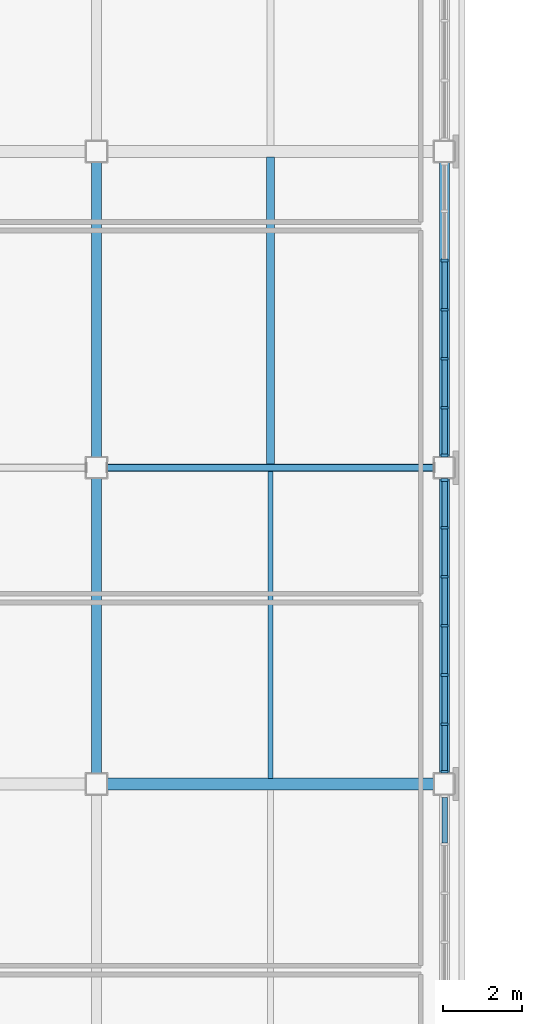
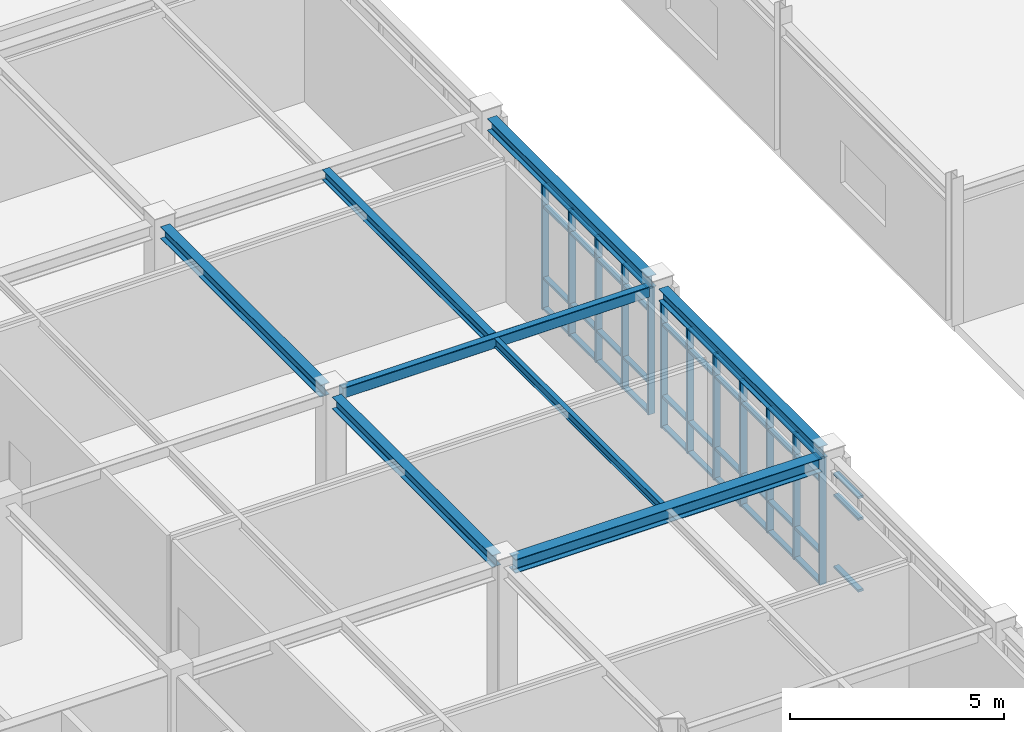
# One storey, part 23 of 88: 55 members, 8 beams, 3 elements without a shape of their own.
"""IFC4 building model written with IfcOpenShell, lengths in metres."""

from ifc_helpers import new_model, si_unit, direction, frame, origin, origin_2d, place, context, subcontext, project, spatial, rectangle, hollow_rectangle, i_section, extrude, material, material_profile, profile_set, type_object, element, aggregate, save


model = new_model("IFC4")

# Units and contexts
model_context = context("Model", 3, precision=1e-05, world=origin(), true_north=direction((0.0, 1.0)))
body_context = subcontext(model_context, "Body", "Model", "MODEL_VIEW")
ifc_project = project(units=[si_unit("LENGTHUNIT", "METRE"), si_unit("AREAUNIT", "SQUARE_METRE"), si_unit("VOLUMEUNIT", "CUBIC_METRE"), si_unit("PLANEANGLEUNIT", "RADIAN"), si_unit("MASSUNIT", "GRAM", prefix="KILO")], contexts=[model_context])

# Site, building, storey
site_placement = place(None, origin())
site = spatial("IfcSite", under=ifc_project, at=site_placement, CompositionType="ELEMENT")
building_placement = place(site_placement, origin())
building = spatial("IfcBuilding", under=site, at=building_placement, Name="Zhaolan Boulevard Law Courts", CompositionType="ELEMENT")
storey_placement = place(building_placement, frame((0.0, 0.0, 16.199951171875)))
storey = spatial("IfcBuildingStorey", under=building, at=storey_placement, Name="L03", CompositionType="ELEMENT", Elevation=16.199951171875)

# Curtain wall, members
ifc_material_1 = material(Name="Thermally broken aluminium and low-E glazing", Category="aluminium")
curtain_wall_type_1 = type_object("IfcCurtainWallType", Name="CURTAIN WALL M14", PredefinedType="USERDEFINED", material=ifc_material_1)
curtain_wall_1_placement = place(storey_placement, origin())
curtain_wall_1 = element("IfcCurtainWall", 1, at=curtain_wall_1_placement, inside=storey, type_object=curtain_wall_type_1, Name="Curtain Wall CW-L03-182", ObjectType="CURTAIN WALL", PredefinedType="USERDEFINED")
ifc_material_2 = material(Name="Fluorocarbon-coated aluminium 6063-T6", Category="aluminium")
ifc_material_profile_1 = material_profile(ifc_material_2, rectangle(XDim=0.179931640625, YDim=0.06494140625, at=origin_2d()), Name="AL65x180")
ifc_profile_set_1 = profile_set([ifc_material_profile_1], Name="Fluorocarbon-coated aluminium 6063-T6")
member_type_1 = type_object("IfcMemberType", Name="CWMULLION 65X180", PredefinedType="MULLION", material=ifc_profile_set_1)
member_1_placement = place(storey_placement, frame((44.0, 54.3095703125, 0.0), z_axis=(0.0, 0.0, 1.0), x_axis=(-1.0, 0.0, 0.0)))
member_1 = element("IfcMember", 2, at=member_1_placement, type_object=member_type_1, Name="CW-L03-182 mullion 1", PredefinedType="MULLION", context=body_context, shape_type="SweptSolid", body=[
    extrude(rectangle(XDim=0.179931640625, YDim=0.06494140625, at=origin_2d()), origin(), (0.0, 0.0, 1.0), 3.593017578125),
])
member_2_placement = place(storey_placement, frame((44.0, 55.51806640625, 0.0), z_axis=(0.0, 0.0, 1.0), x_axis=(-1.0, 0.0, 0.0)))
member_2 = element("IfcMember", 3, at=member_2_placement, type_object=member_type_1, Name="CW-L03-182 mullion 2", PredefinedType="MULLION", context=body_context, shape_type="SweptSolid", body=[
    extrude(rectangle(XDim=0.179931640625, YDim=0.06494140625, at=origin_2d()), origin(), (0.0, 0.0, 1.0), 3.593017578125),
])
member_3_placement = place(storey_placement, frame((44.0, 56.759033203125, 0.0), z_axis=(0.0, 0.0, 1.0), x_axis=(-1.0, 0.0, 0.0)))
member_3 = element("IfcMember", 4, at=member_3_placement, type_object=member_type_1, Name="CW-L03-182 mullion 3", PredefinedType="MULLION", context=body_context, shape_type="SweptSolid", body=[
    extrude(rectangle(XDim=0.179931640625, YDim=0.06494140625, at=origin_2d()), origin(), (0.0, 0.0, 1.0), 3.593017578125),
])
member_4_placement = place(storey_placement, frame((44.0, 58.0, 0.0), z_axis=(0.0, 0.0, 1.0), x_axis=(-1.0, 0.0, 0.0)))
member_4 = element("IfcMember", 5, at=member_4_placement, type_object=member_type_1, Name="CW-L03-182 mullion 4", PredefinedType="MULLION", context=body_context, shape_type="SweptSolid", body=[
    extrude(rectangle(XDim=0.179931640625, YDim=0.06494140625, at=origin_2d()), origin(), (0.0, 0.0, 1.0), 3.593017578125),
])
member_5_placement = place(storey_placement, frame((44.0, 59.240966796875, 0.0), z_axis=(0.0, 0.0, 1.0), x_axis=(-1.0, 0.0, 0.0)))
member_5 = element("IfcMember", 6, at=member_5_placement, type_object=member_type_1, Name="CW-L03-182 mullion 5", PredefinedType="MULLION", context=body_context, shape_type="SweptSolid", body=[
    extrude(rectangle(XDim=0.179931640625, YDim=0.06494140625, at=origin_2d()), origin(), (0.0, 0.0, 1.0), 3.593017578125),
])
member_6_placement = place(storey_placement, frame((44.0, 60.48193359375, 0.0), z_axis=(0.0, 0.0, 1.0), x_axis=(-1.0, 0.0, 0.0)))
member_6 = element("IfcMember", 7, at=member_6_placement, type_object=member_type_1, Name="CW-L03-182 mullion 6", PredefinedType="MULLION", context=body_context, shape_type="SweptSolid", body=[
    extrude(rectangle(XDim=0.179931640625, YDim=0.06494140625, at=origin_2d()), origin(), (0.0, 0.0, 1.0), 3.593017578125),
])
member_7_placement = place(storey_placement, frame((44.0, 61.6904296875, 0.0), z_axis=(0.0, 0.0, 1.0), x_axis=(-1.0, 0.0, 0.0)))
member_7 = element("IfcMember", 8, at=member_7_placement, type_object=member_type_1, Name="CW-L03-182 mullion 7", PredefinedType="MULLION", context=body_context, shape_type="SweptSolid", body=[
    extrude(rectangle(XDim=0.179931640625, YDim=0.06494140625, at=origin_2d()), origin(), (0.0, 0.0, 1.0), 3.593017578125),
])

ifc_material_3 = material(Name="Thermally broken aluminium and low-E glazing", Category="aluminium")
curtain_wall_type_2 = type_object("IfcCurtainWallType", Name="CURTAIN WALL M15", PredefinedType="USERDEFINED", material=ifc_material_3)
curtain_wall_2_placement = place(storey_placement, origin())
curtain_wall_2 = element("IfcCurtainWall", 9, at=curtain_wall_2_placement, inside=storey, type_object=curtain_wall_type_2, Name="Curtain Wall CW-L03-183", ObjectType="CURTAIN WALL", PredefinedType="USERDEFINED")
member_8_placement = place(storey_placement, frame((44.0, 62.3095703125, 0.0), z_axis=(0.0, 0.0, 1.0), x_axis=(-1.0, 0.0, 0.0)))
member_8 = element("IfcMember", 10, at=member_8_placement, type_object=member_type_1, Name="CW-L03-183 mullion 1", PredefinedType="MULLION", context=body_context, shape_type="SweptSolid", body=[
    extrude(rectangle(XDim=0.179931640625, YDim=0.06494140625, at=origin_2d()), origin(), (0.0, 0.0, 1.0), 3.593017578125),
])
member_9_placement = place(storey_placement, frame((44.0, 63.51806640625, 0.0), z_axis=(0.0, 0.0, 1.0), x_axis=(-1.0, 0.0, 0.0)))
member_9 = element("IfcMember", 11, at=member_9_placement, type_object=member_type_1, Name="CW-L03-183 mullion 2", PredefinedType="MULLION", context=body_context, shape_type="SweptSolid", body=[
    extrude(rectangle(XDim=0.179931640625, YDim=0.06494140625, at=origin_2d()), origin(), (0.0, 0.0, 1.0), 3.593017578125),
])
member_10_placement = place(storey_placement, frame((44.0, 64.759033203125, 0.0), z_axis=(0.0, 0.0, 1.0), x_axis=(-1.0, 0.0, 0.0)))
member_10 = element("IfcMember", 12, at=member_10_placement, type_object=member_type_1, Name="CW-L03-183 mullion 3", PredefinedType="MULLION", context=body_context, shape_type="SweptSolid", body=[
    extrude(rectangle(XDim=0.179931640625, YDim=0.06494140625, at=origin_2d()), origin(), (0.0, 0.0, 1.0), 3.593017578125),
])
member_11_placement = place(storey_placement, frame((44.0, 66.0, 0.0), z_axis=(0.0, 0.0, 1.0), x_axis=(-1.0, 0.0, 0.0)))
member_11 = element("IfcMember", 13, at=member_11_placement, type_object=member_type_1, Name="CW-L03-183 mullion 4", PredefinedType="MULLION", context=body_context, shape_type="SweptSolid", body=[
    extrude(rectangle(XDim=0.179931640625, YDim=0.06494140625, at=origin_2d()), origin(), (0.0, 0.0, 1.0), 3.593017578125),
])
member_12_placement = place(storey_placement, frame((44.0, 67.240966796875, 0.0), z_axis=(0.0, 0.0, 1.0), x_axis=(-1.0, 0.0, 0.0)))
member_12 = element("IfcMember", 14, at=member_12_placement, type_object=member_type_1, Name="CW-L03-183 mullion 5", PredefinedType="MULLION", context=body_context, shape_type="SweptSolid", body=[
    extrude(rectangle(XDim=0.179931640625, YDim=0.06494140625, at=origin_2d()), origin(), (0.0, 0.0, 1.0), 3.593017578125),
])

ifc_material_4 = material(Name="Thermally broken aluminium and low-E glazing", Category="aluminium")
curtain_wall_type_3 = type_object("IfcCurtainWallType", Name="CURTAIN WALL M13", PredefinedType="USERDEFINED", material=ifc_material_4)
curtain_wall_3_placement = place(storey_placement, origin())
curtain_wall_3 = element("IfcCurtainWall", 15, at=curtain_wall_3_placement, inside=storey, type_object=curtain_wall_type_3, Name="Curtain Wall CW-L03-181", ObjectType="CURTAIN WALL", PredefinedType="USERDEFINED")
ifc_material_5 = material(Name="Fluorocarbon-coated aluminium 6063-T6", Category="aluminium")
ifc_material_profile_2 = material_profile(ifc_material_5, rectangle(XDim=0.139892578125, YDim=0.06494140625, at=origin_2d()), Name="AL65x140")
ifc_profile_set_2 = profile_set([ifc_material_profile_2], Name="Fluorocarbon-coated aluminium 6063-T6")
member_type_2 = type_object("IfcMemberType", Name="CWTRANSOM 65X140", PredefinedType="USERDEFINED", material=ifc_profile_set_2)
member_13_placement = place(storey_placement, frame((44.0, 52.514404296875, 0.900146484375), z_axis=(0.0, 1.0, 0.0), x_axis=(-1.0, 0.0, 0.0)))
member_13 = element("IfcMember", 16, at=member_13_placement, type_object=member_type_2, Name="CW-L03-181 transom 6.2", ObjectType="TRANSOM", PredefinedType="USERDEFINED", context=body_context, shape_type="SweptSolid", body=[
    extrude(rectangle(XDim=0.139892578125, YDim=0.06494140625, at=origin_2d()), origin(), (0.0, 0.0, 1.0), 1.1435546875),
])
member_14_placement = place(storey_placement, frame((44.0, 52.514404296875, 2.943115234375), z_axis=(0.0, 1.0, 0.0), x_axis=(-1.0, 0.0, 0.0)))
member_14 = element("IfcMember", 17, at=member_14_placement, type_object=member_type_2, Name="CW-L03-181 transom 6.3", ObjectType="TRANSOM", PredefinedType="USERDEFINED", context=body_context, shape_type="SweptSolid", body=[
    extrude(rectangle(XDim=0.139892578125, YDim=0.06494140625, at=origin_2d()), origin(), (0.0, 0.0, 1.0), 1.1435546875),
])
member_15_placement = place(storey_placement, frame((44.0, 52.514404296875, 3.560546875), z_axis=(0.0, 1.0, 0.0), x_axis=(-1.0, 0.0, 0.0)))
member_15 = element("IfcMember", 18, at=member_15_placement, type_object=member_type_2, Name="CW-L03-181 transom 6.4", ObjectType="TRANSOM", PredefinedType="USERDEFINED", context=body_context, shape_type="SweptSolid", body=[
    extrude(rectangle(XDim=0.139892578125, YDim=0.06494140625, at=origin_2d()), origin(), (0.0, 0.0, 1.0), 1.1435546875),
])
aggregate(curtain_wall_3, [member_13, member_14, member_15])

# Member
member_16_placement = place(storey_placement, frame((44.0, 54.342041015625, 0.032470703125), z_axis=(0.0, 1.0, 0.0), x_axis=(-1.0, 0.0, 0.0)))
member_16 = element("IfcMember", 19, at=member_16_placement, type_object=member_type_2, Name="CW-L03-182 transom 1.1", ObjectType="TRANSOM", PredefinedType="USERDEFINED", context=body_context, shape_type="SweptSolid", body=[
    extrude(rectangle(XDim=0.139892578125, YDim=0.06494140625, at=origin_2d()), origin(), (0.0, 0.0, 1.0), 1.1435546875),
])

member_17_placement = place(storey_placement, frame((44.0, 54.342041015625, 0.900146484375), z_axis=(0.0, 1.0, 0.0), x_axis=(-1.0, 0.0, 0.0)))
member_17 = element("IfcMember", 20, at=member_17_placement, type_object=member_type_2, Name="CW-L03-182 transom 1.2", ObjectType="TRANSOM", PredefinedType="USERDEFINED", context=body_context, shape_type="SweptSolid", body=[
    extrude(rectangle(XDim=0.139892578125, YDim=0.06494140625, at=origin_2d()), origin(), (0.0, 0.0, 1.0), 1.1435546875),
])

member_18_placement = place(storey_placement, frame((44.0, 54.342041015625, 2.943115234375), z_axis=(0.0, 1.0, 0.0), x_axis=(-1.0, 0.0, 0.0)))
member_18 = element("IfcMember", 21, at=member_18_placement, type_object=member_type_2, Name="CW-L03-182 transom 1.3", ObjectType="TRANSOM", PredefinedType="USERDEFINED", context=body_context, shape_type="SweptSolid", body=[
    extrude(rectangle(XDim=0.139892578125, YDim=0.06494140625, at=origin_2d()), origin(), (0.0, 0.0, 1.0), 1.1435546875),
])

member_19_placement = place(storey_placement, frame((44.0, 54.342041015625, 3.560546875), z_axis=(0.0, 1.0, 0.0), x_axis=(-1.0, 0.0, 0.0)))
member_19 = element("IfcMember", 22, at=member_19_placement, type_object=member_type_2, Name="CW-L03-182 transom 1.4", ObjectType="TRANSOM", PredefinedType="USERDEFINED", context=body_context, shape_type="SweptSolid", body=[
    extrude(rectangle(XDim=0.139892578125, YDim=0.06494140625, at=origin_2d()), origin(), (0.0, 0.0, 1.0), 1.1435546875),
])

member_20_placement = place(storey_placement, frame((44.0, 55.550537109375, 0.032470703125), z_axis=(0.0, 1.0, 0.0), x_axis=(-1.0, 0.0, 0.0)))
member_20 = element("IfcMember", 23, at=member_20_placement, type_object=member_type_2, Name="CW-L03-182 transom 2.1", ObjectType="TRANSOM", PredefinedType="USERDEFINED", context=body_context, shape_type="SweptSolid", body=[
    extrude(rectangle(XDim=0.139892578125, YDim=0.06494140625, at=origin_2d()), origin(), (0.0, 0.0, 1.0), 1.176025390625),
])

member_21_placement = place(storey_placement, frame((44.0, 55.550537109375, 0.900146484375), z_axis=(0.0, 1.0, 0.0), x_axis=(-1.0, 0.0, 0.0)))
member_21 = element("IfcMember", 24, at=member_21_placement, type_object=member_type_2, Name="CW-L03-182 transom 2.2", ObjectType="TRANSOM", PredefinedType="USERDEFINED", context=body_context, shape_type="SweptSolid", body=[
    extrude(rectangle(XDim=0.139892578125, YDim=0.06494140625, at=origin_2d()), origin(), (0.0, 0.0, 1.0), 1.176025390625),
])

member_22_placement = place(storey_placement, frame((44.0, 55.550537109375, 2.943115234375), z_axis=(0.0, 1.0, 0.0), x_axis=(-1.0, 0.0, 0.0)))
member_22 = element("IfcMember", 25, at=member_22_placement, type_object=member_type_2, Name="CW-L03-182 transom 2.3", ObjectType="TRANSOM", PredefinedType="USERDEFINED", context=body_context, shape_type="SweptSolid", body=[
    extrude(rectangle(XDim=0.139892578125, YDim=0.06494140625, at=origin_2d()), origin(), (0.0, 0.0, 1.0), 1.176025390625),
])

member_23_placement = place(storey_placement, frame((44.0, 55.550537109375, 3.560546875), z_axis=(0.0, 1.0, 0.0), x_axis=(-1.0, 0.0, 0.0)))
member_23 = element("IfcMember", 26, at=member_23_placement, type_object=member_type_2, Name="CW-L03-182 transom 2.4", ObjectType="TRANSOM", PredefinedType="USERDEFINED", context=body_context, shape_type="SweptSolid", body=[
    extrude(rectangle(XDim=0.139892578125, YDim=0.06494140625, at=origin_2d()), origin(), (0.0, 0.0, 1.0), 1.176025390625),
])

member_24_placement = place(storey_placement, frame((44.0, 56.79150390625, 0.032470703125), z_axis=(0.0, 1.0, 0.0), x_axis=(-1.0, 0.0, 0.0)))
member_24 = element("IfcMember", 27, at=member_24_placement, type_object=member_type_2, Name="CW-L03-182 transom 3.1", ObjectType="TRANSOM", PredefinedType="USERDEFINED", context=body_context, shape_type="SweptSolid", body=[
    extrude(rectangle(XDim=0.139892578125, YDim=0.06494140625, at=origin_2d()), origin(), (0.0, 0.0, 1.0), 1.176025390625),
])

member_25_placement = place(storey_placement, frame((44.0, 56.79150390625, 0.900146484375), z_axis=(0.0, 1.0, 0.0), x_axis=(-1.0, 0.0, 0.0)))
member_25 = element("IfcMember", 28, at=member_25_placement, type_object=member_type_2, Name="CW-L03-182 transom 3.2", ObjectType="TRANSOM", PredefinedType="USERDEFINED", context=body_context, shape_type="SweptSolid", body=[
    extrude(rectangle(XDim=0.139892578125, YDim=0.06494140625, at=origin_2d()), origin(), (0.0, 0.0, 1.0), 1.176025390625),
])

member_26_placement = place(storey_placement, frame((44.0, 56.79150390625, 2.943115234375), z_axis=(0.0, 1.0, 0.0), x_axis=(-1.0, 0.0, 0.0)))
member_26 = element("IfcMember", 29, at=member_26_placement, type_object=member_type_2, Name="CW-L03-182 transom 3.3", ObjectType="TRANSOM", PredefinedType="USERDEFINED", context=body_context, shape_type="SweptSolid", body=[
    extrude(rectangle(XDim=0.139892578125, YDim=0.06494140625, at=origin_2d()), origin(), (0.0, 0.0, 1.0), 1.176025390625),
])

member_27_placement = place(storey_placement, frame((44.0, 56.79150390625, 3.560546875), z_axis=(0.0, 1.0, 0.0), x_axis=(-1.0, 0.0, 0.0)))
member_27 = element("IfcMember", 30, at=member_27_placement, type_object=member_type_2, Name="CW-L03-182 transom 3.4", ObjectType="TRANSOM", PredefinedType="USERDEFINED", context=body_context, shape_type="SweptSolid", body=[
    extrude(rectangle(XDim=0.139892578125, YDim=0.06494140625, at=origin_2d()), origin(), (0.0, 0.0, 1.0), 1.176025390625),
])

member_28_placement = place(storey_placement, frame((44.0, 58.032470703125, 0.032470703125), z_axis=(0.0, 1.0, 0.0), x_axis=(-1.0, 0.0, 0.0)))
member_28 = element("IfcMember", 31, at=member_28_placement, type_object=member_type_2, Name="CW-L03-182 transom 4.1", ObjectType="TRANSOM", PredefinedType="USERDEFINED", context=body_context, shape_type="SweptSolid", body=[
    extrude(rectangle(XDim=0.139892578125, YDim=0.06494140625, at=origin_2d()), origin(), (0.0, 0.0, 1.0), 1.176025390625),
])

member_29_placement = place(storey_placement, frame((44.0, 58.032470703125, 0.900146484375), z_axis=(0.0, 1.0, 0.0), x_axis=(-1.0, 0.0, 0.0)))
member_29 = element("IfcMember", 32, at=member_29_placement, type_object=member_type_2, Name="CW-L03-182 transom 4.2", ObjectType="TRANSOM", PredefinedType="USERDEFINED", context=body_context, shape_type="SweptSolid", body=[
    extrude(rectangle(XDim=0.139892578125, YDim=0.06494140625, at=origin_2d()), origin(), (0.0, 0.0, 1.0), 1.176025390625),
])

member_30_placement = place(storey_placement, frame((44.0, 58.032470703125, 2.943115234375), z_axis=(0.0, 1.0, 0.0), x_axis=(-1.0, 0.0, 0.0)))
member_30 = element("IfcMember", 33, at=member_30_placement, type_object=member_type_2, Name="CW-L03-182 transom 4.3", ObjectType="TRANSOM", PredefinedType="USERDEFINED", context=body_context, shape_type="SweptSolid", body=[
    extrude(rectangle(XDim=0.139892578125, YDim=0.06494140625, at=origin_2d()), origin(), (0.0, 0.0, 1.0), 1.176025390625),
])

member_31_placement = place(storey_placement, frame((44.0, 58.032470703125, 3.560546875), z_axis=(0.0, 1.0, 0.0), x_axis=(-1.0, 0.0, 0.0)))
member_31 = element("IfcMember", 34, at=member_31_placement, type_object=member_type_2, Name="CW-L03-182 transom 4.4", ObjectType="TRANSOM", PredefinedType="USERDEFINED", context=body_context, shape_type="SweptSolid", body=[
    extrude(rectangle(XDim=0.139892578125, YDim=0.06494140625, at=origin_2d()), origin(), (0.0, 0.0, 1.0), 1.176025390625),
])

member_32_placement = place(storey_placement, frame((44.0, 59.2734375, 0.032470703125), z_axis=(0.0, 1.0, 0.0), x_axis=(-1.0, 0.0, 0.0)))
member_32 = element("IfcMember", 35, at=member_32_placement, type_object=member_type_2, Name="CW-L03-182 transom 5.1", ObjectType="TRANSOM", PredefinedType="USERDEFINED", context=body_context, shape_type="SweptSolid", body=[
    extrude(rectangle(XDim=0.139892578125, YDim=0.06494140625, at=origin_2d()), origin(), (0.0, 0.0, 1.0), 1.176025390625),
])

member_33_placement = place(storey_placement, frame((44.0, 59.2734375, 0.900146484375), z_axis=(0.0, 1.0, 0.0), x_axis=(-1.0, 0.0, 0.0)))
member_33 = element("IfcMember", 36, at=member_33_placement, type_object=member_type_2, Name="CW-L03-182 transom 5.2", ObjectType="TRANSOM", PredefinedType="USERDEFINED", context=body_context, shape_type="SweptSolid", body=[
    extrude(rectangle(XDim=0.139892578125, YDim=0.06494140625, at=origin_2d()), origin(), (0.0, 0.0, 1.0), 1.176025390625),
])

member_34_placement = place(storey_placement, frame((44.0, 59.2734375, 2.943115234375), z_axis=(0.0, 1.0, 0.0), x_axis=(-1.0, 0.0, 0.0)))
member_34 = element("IfcMember", 37, at=member_34_placement, type_object=member_type_2, Name="CW-L03-182 transom 5.3", ObjectType="TRANSOM", PredefinedType="USERDEFINED", context=body_context, shape_type="SweptSolid", body=[
    extrude(rectangle(XDim=0.139892578125, YDim=0.06494140625, at=origin_2d()), origin(), (0.0, 0.0, 1.0), 1.176025390625),
])

member_35_placement = place(storey_placement, frame((44.0, 59.2734375, 3.560546875), z_axis=(0.0, 1.0, 0.0), x_axis=(-1.0, 0.0, 0.0)))
member_35 = element("IfcMember", 38, at=member_35_placement, type_object=member_type_2, Name="CW-L03-182 transom 5.4", ObjectType="TRANSOM", PredefinedType="USERDEFINED", context=body_context, shape_type="SweptSolid", body=[
    extrude(rectangle(XDim=0.139892578125, YDim=0.06494140625, at=origin_2d()), origin(), (0.0, 0.0, 1.0), 1.176025390625),
])

member_36_placement = place(storey_placement, frame((44.0, 60.514404296875, 0.032470703125), z_axis=(0.0, 1.0, 0.0), x_axis=(-1.0, 0.0, 0.0)))
member_36 = element("IfcMember", 39, at=member_36_placement, type_object=member_type_2, Name="CW-L03-182 transom 6.1", ObjectType="TRANSOM", PredefinedType="USERDEFINED", context=body_context, shape_type="SweptSolid", body=[
    extrude(rectangle(XDim=0.139892578125, YDim=0.06494140625, at=origin_2d()), origin(), (0.0, 0.0, 1.0), 1.1435546875),
])

member_37_placement = place(storey_placement, frame((44.0, 60.514404296875, 0.900146484375), z_axis=(0.0, 1.0, 0.0), x_axis=(-1.0, 0.0, 0.0)))
member_37 = element("IfcMember", 40, at=member_37_placement, type_object=member_type_2, Name="CW-L03-182 transom 6.2", ObjectType="TRANSOM", PredefinedType="USERDEFINED", context=body_context, shape_type="SweptSolid", body=[
    extrude(rectangle(XDim=0.139892578125, YDim=0.06494140625, at=origin_2d()), origin(), (0.0, 0.0, 1.0), 1.1435546875),
])

member_38_placement = place(storey_placement, frame((44.0, 60.514404296875, 2.943115234375), z_axis=(0.0, 1.0, 0.0), x_axis=(-1.0, 0.0, 0.0)))
member_38 = element("IfcMember", 41, at=member_38_placement, type_object=member_type_2, Name="CW-L03-182 transom 6.3", ObjectType="TRANSOM", PredefinedType="USERDEFINED", context=body_context, shape_type="SweptSolid", body=[
    extrude(rectangle(XDim=0.139892578125, YDim=0.06494140625, at=origin_2d()), origin(), (0.0, 0.0, 1.0), 1.1435546875),
])

member_39_placement = place(storey_placement, frame((44.0, 60.514404296875, 3.560546875), z_axis=(0.0, 1.0, 0.0), x_axis=(-1.0, 0.0, 0.0)))
member_39 = element("IfcMember", 42, at=member_39_placement, type_object=member_type_2, Name="CW-L03-182 transom 6.4", ObjectType="TRANSOM", PredefinedType="USERDEFINED", context=body_context, shape_type="SweptSolid", body=[
    extrude(rectangle(XDim=0.139892578125, YDim=0.06494140625, at=origin_2d()), origin(), (0.0, 0.0, 1.0), 1.1435546875),
])

aggregate(curtain_wall_1, [member_1, member_2, member_3, member_4, member_5, member_6, member_7, member_16, member_17, member_18, member_19, member_20, member_21, member_22, member_23, member_24, member_25, member_26, member_27, member_28, member_29, member_30, member_31, member_32, member_33, member_34, member_35, member_36, member_37, member_38, member_39])

member_40_placement = place(storey_placement, frame((44.0, 62.342041015625, 0.032470703125), z_axis=(0.0, 1.0, 0.0), x_axis=(-1.0, 0.0, 0.0)))
member_40 = element("IfcMember", 43, at=member_40_placement, type_object=member_type_2, Name="CW-L03-183 transom 1.1", ObjectType="TRANSOM", PredefinedType="USERDEFINED", context=body_context, shape_type="SweptSolid", body=[
    extrude(rectangle(XDim=0.139892578125, YDim=0.06494140625, at=origin_2d()), origin(), (0.0, 0.0, 1.0), 1.1435546875),
])

member_41_placement = place(storey_placement, frame((44.0, 62.342041015625, 0.900146484375), z_axis=(0.0, 1.0, 0.0), x_axis=(-1.0, 0.0, 0.0)))
member_41 = element("IfcMember", 44, at=member_41_placement, type_object=member_type_2, Name="CW-L03-183 transom 1.2", ObjectType="TRANSOM", PredefinedType="USERDEFINED", context=body_context, shape_type="SweptSolid", body=[
    extrude(rectangle(XDim=0.139892578125, YDim=0.06494140625, at=origin_2d()), origin(), (0.0, 0.0, 1.0), 1.1435546875),
])

member_42_placement = place(storey_placement, frame((44.0, 62.342041015625, 2.943115234375), z_axis=(0.0, 1.0, 0.0), x_axis=(-1.0, 0.0, 0.0)))
member_42 = element("IfcMember", 45, at=member_42_placement, type_object=member_type_2, Name="CW-L03-183 transom 1.3", ObjectType="TRANSOM", PredefinedType="USERDEFINED", context=body_context, shape_type="SweptSolid", body=[
    extrude(rectangle(XDim=0.139892578125, YDim=0.06494140625, at=origin_2d()), origin(), (0.0, 0.0, 1.0), 1.1435546875),
])

member_43_placement = place(storey_placement, frame((44.0, 62.342041015625, 3.560546875), z_axis=(0.0, 1.0, 0.0), x_axis=(-1.0, 0.0, 0.0)))
member_43 = element("IfcMember", 46, at=member_43_placement, type_object=member_type_2, Name="CW-L03-183 transom 1.4", ObjectType="TRANSOM", PredefinedType="USERDEFINED", context=body_context, shape_type="SweptSolid", body=[
    extrude(rectangle(XDim=0.139892578125, YDim=0.06494140625, at=origin_2d()), origin(), (0.0, 0.0, 1.0), 1.1435546875),
])

member_44_placement = place(storey_placement, frame((44.0, 63.550537109375, 0.032470703125), z_axis=(0.0, 1.0, 0.0), x_axis=(-1.0, 0.0, 0.0)))
member_44 = element("IfcMember", 47, at=member_44_placement, type_object=member_type_2, Name="CW-L03-183 transom 2.1", ObjectType="TRANSOM", PredefinedType="USERDEFINED", context=body_context, shape_type="SweptSolid", body=[
    extrude(rectangle(XDim=0.139892578125, YDim=0.06494140625, at=origin_2d()), origin(), (0.0, 0.0, 1.0), 1.176025390625),
])

member_45_placement = place(storey_placement, frame((44.0, 63.550537109375, 0.900146484375), z_axis=(0.0, 1.0, 0.0), x_axis=(-1.0, 0.0, 0.0)))
member_45 = element("IfcMember", 48, at=member_45_placement, type_object=member_type_2, Name="CW-L03-183 transom 2.2", ObjectType="TRANSOM", PredefinedType="USERDEFINED", context=body_context, shape_type="SweptSolid", body=[
    extrude(rectangle(XDim=0.139892578125, YDim=0.06494140625, at=origin_2d()), origin(), (0.0, 0.0, 1.0), 1.176025390625),
])

member_46_placement = place(storey_placement, frame((44.0, 63.550537109375, 2.943115234375), z_axis=(0.0, 1.0, 0.0), x_axis=(-1.0, 0.0, 0.0)))
member_46 = element("IfcMember", 49, at=member_46_placement, type_object=member_type_2, Name="CW-L03-183 transom 2.3", ObjectType="TRANSOM", PredefinedType="USERDEFINED", context=body_context, shape_type="SweptSolid", body=[
    extrude(rectangle(XDim=0.139892578125, YDim=0.06494140625, at=origin_2d()), origin(), (0.0, 0.0, 1.0), 1.176025390625),
])

member_47_placement = place(storey_placement, frame((44.0, 63.550537109375, 3.560546875), z_axis=(0.0, 1.0, 0.0), x_axis=(-1.0, 0.0, 0.0)))
member_47 = element("IfcMember", 50, at=member_47_placement, type_object=member_type_2, Name="CW-L03-183 transom 2.4", ObjectType="TRANSOM", PredefinedType="USERDEFINED", context=body_context, shape_type="SweptSolid", body=[
    extrude(rectangle(XDim=0.139892578125, YDim=0.06494140625, at=origin_2d()), origin(), (0.0, 0.0, 1.0), 1.176025390625),
])

member_48_placement = place(storey_placement, frame((44.0, 64.79150390625, 0.032470703125), z_axis=(0.0, 1.0, 0.0), x_axis=(-1.0, 0.0, 0.0)))
member_48 = element("IfcMember", 51, at=member_48_placement, type_object=member_type_2, Name="CW-L03-183 transom 3.1", ObjectType="TRANSOM", PredefinedType="USERDEFINED", context=body_context, shape_type="SweptSolid", body=[
    extrude(rectangle(XDim=0.139892578125, YDim=0.06494140625, at=origin_2d()), origin(), (0.0, 0.0, 1.0), 1.176025390625),
])

member_49_placement = place(storey_placement, frame((44.0, 64.79150390625, 0.900146484375), z_axis=(0.0, 1.0, 0.0), x_axis=(-1.0, 0.0, 0.0)))
member_49 = element("IfcMember", 52, at=member_49_placement, type_object=member_type_2, Name="CW-L03-183 transom 3.2", ObjectType="TRANSOM", PredefinedType="USERDEFINED", context=body_context, shape_type="SweptSolid", body=[
    extrude(rectangle(XDim=0.139892578125, YDim=0.06494140625, at=origin_2d()), origin(), (0.0, 0.0, 1.0), 1.176025390625),
])

member_50_placement = place(storey_placement, frame((44.0, 64.79150390625, 2.943115234375), z_axis=(0.0, 1.0, 0.0), x_axis=(-1.0, 0.0, 0.0)))
member_50 = element("IfcMember", 53, at=member_50_placement, type_object=member_type_2, Name="CW-L03-183 transom 3.3", ObjectType="TRANSOM", PredefinedType="USERDEFINED", context=body_context, shape_type="SweptSolid", body=[
    extrude(rectangle(XDim=0.139892578125, YDim=0.06494140625, at=origin_2d()), origin(), (0.0, 0.0, 1.0), 1.176025390625),
])

member_51_placement = place(storey_placement, frame((44.0, 64.79150390625, 3.560546875), z_axis=(0.0, 1.0, 0.0), x_axis=(-1.0, 0.0, 0.0)))
member_51 = element("IfcMember", 54, at=member_51_placement, type_object=member_type_2, Name="CW-L03-183 transom 3.4", ObjectType="TRANSOM", PredefinedType="USERDEFINED", context=body_context, shape_type="SweptSolid", body=[
    extrude(rectangle(XDim=0.139892578125, YDim=0.06494140625, at=origin_2d()), origin(), (0.0, 0.0, 1.0), 1.176025390625),
])

member_52_placement = place(storey_placement, frame((44.0, 66.032470703125, 0.032470703125), z_axis=(0.0, 1.0, 0.0), x_axis=(-1.0, 0.0, 0.0)))
member_52 = element("IfcMember", 55, at=member_52_placement, type_object=member_type_2, Name="CW-L03-183 transom 4.1", ObjectType="TRANSOM", PredefinedType="USERDEFINED", context=body_context, shape_type="SweptSolid", body=[
    extrude(rectangle(XDim=0.139892578125, YDim=0.06494140625, at=origin_2d()), origin(), (0.0, 0.0, 1.0), 1.176025390625),
])

member_53_placement = place(storey_placement, frame((44.0, 66.032470703125, 0.900146484375), z_axis=(0.0, 1.0, 0.0), x_axis=(-1.0, 0.0, 0.0)))
member_53 = element("IfcMember", 56, at=member_53_placement, type_object=member_type_2, Name="CW-L03-183 transom 4.2", ObjectType="TRANSOM", PredefinedType="USERDEFINED", context=body_context, shape_type="SweptSolid", body=[
    extrude(rectangle(XDim=0.139892578125, YDim=0.06494140625, at=origin_2d()), origin(), (0.0, 0.0, 1.0), 1.176025390625),
])

member_54_placement = place(storey_placement, frame((44.0, 66.032470703125, 2.943115234375), z_axis=(0.0, 1.0, 0.0), x_axis=(-1.0, 0.0, 0.0)))
member_54 = element("IfcMember", 57, at=member_54_placement, type_object=member_type_2, Name="CW-L03-183 transom 4.3", ObjectType="TRANSOM", PredefinedType="USERDEFINED", context=body_context, shape_type="SweptSolid", body=[
    extrude(rectangle(XDim=0.139892578125, YDim=0.06494140625, at=origin_2d()), origin(), (0.0, 0.0, 1.0), 1.176025390625),
])

member_55_placement = place(storey_placement, frame((44.0, 66.032470703125, 3.560546875), z_axis=(0.0, 1.0, 0.0), x_axis=(-1.0, 0.0, 0.0)))
member_55 = element("IfcMember", 58, at=member_55_placement, type_object=member_type_2, Name="CW-L03-183 transom 4.4", ObjectType="TRANSOM", PredefinedType="USERDEFINED", context=body_context, shape_type="SweptSolid", body=[
    extrude(rectangle(XDim=0.139892578125, YDim=0.06494140625, at=origin_2d()), origin(), (0.0, 0.0, 1.0), 1.176025390625),
])

aggregate(curtain_wall_2, [member_8, member_9, member_10, member_11, member_12, member_40, member_41, member_42, member_43, member_44, member_45, member_46, member_47, member_48, member_49, member_50, member_51, member_52, member_53, member_54, member_55])

# Beams
ifc_material_6 = material(Name="Structural steel Q355B", Category="steel")
ifc_material_profile_3 = material_profile(ifc_material_6, i_section(OverallWidth=0.25, OverallDepth=0.340087890625, WebThickness=0.009033203125, FlangeThickness=0.013916015625, FilletRadius=0.01611328125, at=origin_2d()), Name="HM340x250")
ifc_profile_set_3 = profile_set([ifc_material_profile_3], Name="Structural steel Q355B")
beam_type_1 = type_object("IfcBeamType", Name="GIRDER HM340", PredefinedType="BEAM", material=ifc_profile_set_3)
for number, where, z_axis, x_axis, name in (
    (59, (35.199951171875, 54.27099609375, 3.778076171875), (0.0, 1.0, 0.0), (-1.0, 0.0, 0.0), "Beam BY-L04-5-H-J"),
    (60, (35.199951171875, 62.27099609375, 3.778076171875), (0.0, 1.0, 0.0), (-1.0, 0.0, 0.0), "Beam BY-L04-5-J-K"),
    (61, (44.0, 54.27099609375, 3.778076171875), (0.0, 1.0, 0.0), (-1.0, 0.0, 0.0), "Beam BY-L04-6-H-J"),
    (62, (44.0, 62.27099609375, 3.778076171875), (0.0, 1.0, 0.0), (-1.0, 0.0, 0.0), "Beam BY-L04-6-J-K"),
):
    element("IfcBeam", number, at=place(storey_placement, frame(where, z_axis=z_axis, x_axis=x_axis)), inside=storey, type_object=beam_type_1, Name=name, PredefinedType="BEAM", context=body_context, shape_type="SweptSolid", body=[
        extrude(i_section(OverallWidth=0.25, OverallDepth=0.340087890625, WebThickness=0.009033203125, FlangeThickness=0.013916015625, FilletRadius=0.01611328125, at=origin_2d()), origin(), (0.0, 0.0, 1.0), 7.4580078125),
    ])
ifc_material_7 = material(Name="Structural steel Q355B", Category="steel")
ifc_material_profile_4 = material_profile(ifc_material_7, i_section(OverallWidth=0.300048828125, OverallDepth=0.389892578125, WebThickness=0.010009765625, FlangeThickness=0.01611328125, FilletRadius=0.01806640625, at=origin_2d()), Name="HM390x300")
ifc_profile_set_4 = profile_set([ifc_material_profile_4], Name="Structural steel Q355B")
beam_type_2 = type_object("IfcBeamType", Name="GIRDER HM390", PredefinedType="BEAM", material=ifc_profile_set_4)
beam_1_placement = place(storey_placement, frame((35.470947265625, 54.0, 3.7529296875), z_axis=(1.0, 0.0, 0.0), x_axis=(0.0, 1.0, 0.0)))
element("IfcBeam", 63, at=beam_1_placement, inside=storey, type_object=beam_type_2, Name="Beam BX-L04-5-6-H", PredefinedType="BEAM", context=body_context, shape_type="SweptSolid", body=[
    extrude(i_section(OverallWidth=0.300048828125, OverallDepth=0.389892578125, WebThickness=0.010009765625, FlangeThickness=0.01611328125, FilletRadius=0.01806640625, at=origin_2d()), origin(), (0.0, 0.0, 1.0), 8.258056640625),
])
ifc_material_8 = material(Name="Structural steel Q355B", Category="steel")
ifc_material_profile_5 = material_profile(ifc_material_8, i_section(OverallWidth=0.199951171875, OverallDepth=0.2939453125, WebThickness=0.008056640625, FlangeThickness=0.011962890625, FilletRadius=0.01611328125, at=origin_2d()), Name="HM294x200")
ifc_profile_set_5 = profile_set([ifc_material_profile_5], Name="Structural steel Q355B")
beam_type_3 = type_object("IfcBeamType", Name="JOIST HM294", PredefinedType="JOIST", material=ifc_profile_set_5)
beam_2_placement = place(storey_placement, frame((39.60009765625, 62.095947265625, 3.801025390625), z_axis=(0.0, 1.0, 0.0), x_axis=(-1.0, 0.0, 0.0)))
element("IfcBeam", 64, at=beam_2_placement, inside=storey, type_object=beam_type_3, Name="Composite Joist J-L04-5J", PredefinedType="JOIST", context=body_context, shape_type="SweptSolid", body=[
    extrude(i_section(OverallWidth=0.199951171875, OverallDepth=0.2939453125, WebThickness=0.008056640625, FlangeThickness=0.011962890625, FilletRadius=0.01611328125, at=origin_2d()), origin(), (0.0, 0.0, 1.0), 7.758056640625),
])
ifc_material_9 = material(Name="Structural steel Q355B", Category="steel")
ifc_material_profile_6 = material_profile(ifc_material_9, i_section(OverallWidth=0.125, OverallDepth=0.25, WebThickness=0.006103515625, FlangeThickness=0.009033203125, FilletRadius=0.010009765625, at=origin_2d()), Name="HN250x125")
ifc_profile_set_6 = profile_set([ifc_material_profile_6], Name="Structural steel Q355B")
beam_type_4 = type_object("IfcBeamType", Name="JOIST HN250", PredefinedType="JOIST", material=ifc_profile_set_6)
beam_3_placement = place(storey_placement, frame((39.60009765625, 54.14599609375, 3.822998046875), z_axis=(0.0, 1.0, 0.0), x_axis=(-1.0, 0.0, 0.0)))
element("IfcBeam", 65, at=beam_3_placement, inside=storey, type_object=beam_type_4, Name="Composite Joist J-L04-5H", PredefinedType="JOIST", context=body_context, shape_type="SweptSolid", body=[
    extrude(i_section(OverallWidth=0.125, OverallDepth=0.25, WebThickness=0.006103515625, FlangeThickness=0.009033203125, FilletRadius=0.010009765625, at=origin_2d()), origin(), (0.0, 0.0, 1.0), 7.758056640625),
])
ifc_material_10 = material(Name="Structural steel Q355B", Category="steel")
ifc_material_profile_7 = material_profile(ifc_material_10, hollow_rectangle(XDim=0.199951171875, YDim=0.300048828125, WallThickness=0.011962890625, InnerFilletRadius=0.011962890625, OuterFilletRadius=0.02392578125, at=origin_2d()), Name="HSS300x200x12")
ifc_profile_set_7 = profile_set([ifc_material_profile_7], Name="Structural steel Q355B")
beam_type_5 = type_object("IfcBeamType", Name="SPANDREL HSS300", PredefinedType="SPANDREL", material=ifc_profile_set_7)
beam_4_placement = place(storey_placement, frame((35.470947265625, 62.0, 3.798095703125), z_axis=(1.0, 0.0, 0.0), x_axis=(0.0, 1.0, 0.0)))
element("IfcBeam", 66, at=beam_4_placement, inside=storey, type_object=beam_type_5, Name="Beam BX-L04-5-6-J", PredefinedType="SPANDREL", context=body_context, shape_type="SweptSolid", body=[
    extrude(hollow_rectangle(XDim=0.199951171875, YDim=0.300048828125, WallThickness=0.011962890625, InnerFilletRadius=0.011962890625, OuterFilletRadius=0.02392578125, at=origin_2d()), origin(), (0.0, 0.0, 1.0), 8.258056640625),
])

save(model, "model.ifc")
